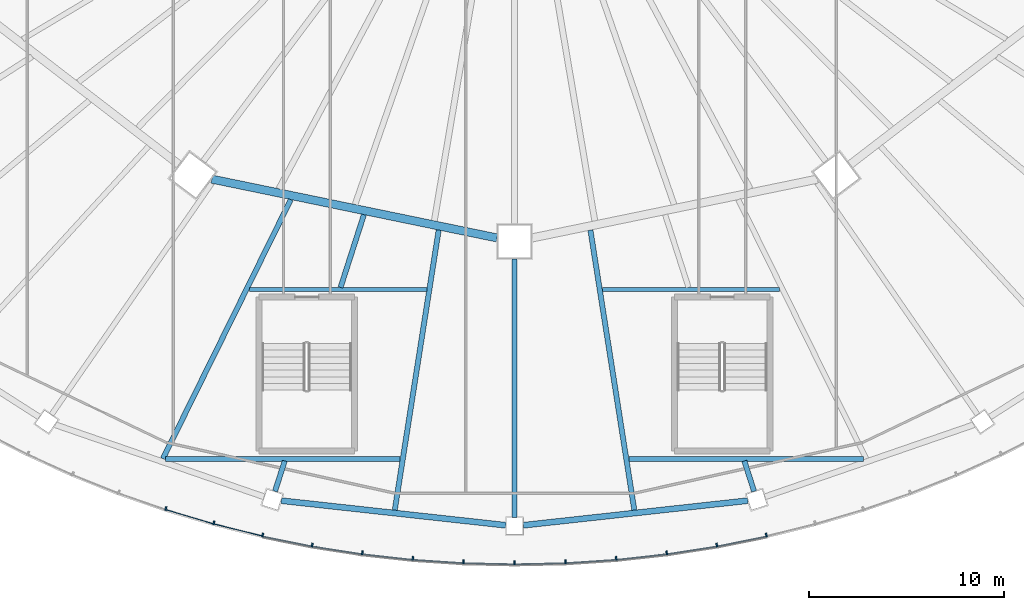
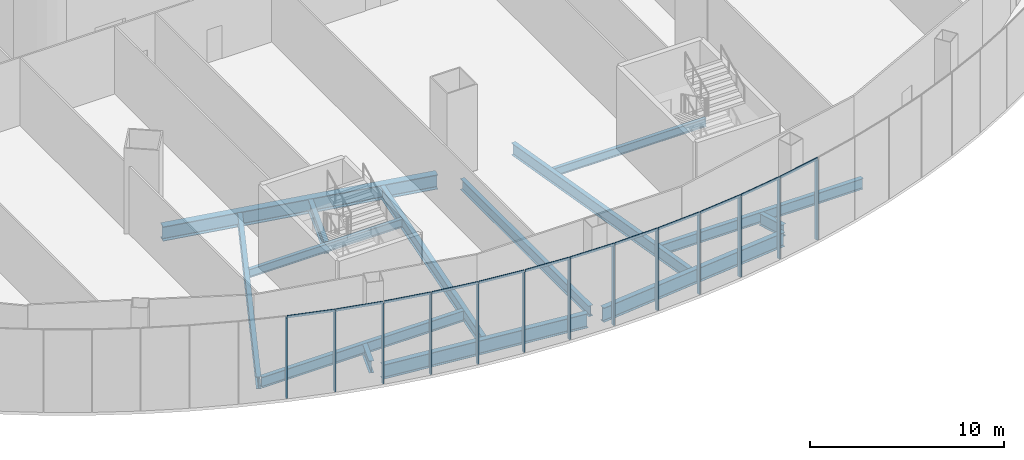
# One storey, part 4 of 42: 25 members, 14 beams, 4 elements without a shape of their own.
"""IFC4 building model written with IfcOpenShell, lengths in metres."""

from ifc_helpers import new_model, si_unit, direction, frame, origin, origin_2d, place, context, subcontext, project, spatial, rectangle, i_section, extrude, material, layer, layer_set, material_profile, profile_set, type_object, element, aggregate, save


model = new_model("IFC4")

# Units and contexts
model_context = context("Model", 3, precision=1e-05, world=origin(), true_north=direction((0.0, 1.0)))
body_context = subcontext(model_context, "Body", "Model", "MODEL_VIEW")
ifc_project = project(units=[si_unit("LENGTHUNIT", "METRE"), si_unit("AREAUNIT", "SQUARE_METRE"), si_unit("VOLUMEUNIT", "CUBIC_METRE"), si_unit("PLANEANGLEUNIT", "RADIAN"), si_unit("MASSUNIT", "GRAM", prefix="KILO")], contexts=[model_context])

# Site, building, storey
site_placement = place(None, origin())
site = spatial("IfcSite", under=ifc_project, at=site_placement, CompositionType="ELEMENT")
building_placement = place(site_placement, origin())
building = spatial("IfcBuilding", under=site, at=building_placement, Name="Sahrelin Media Tower", CompositionType="ELEMENT")
storey_placement = place(building_placement, frame((0.0, 0.0, 26.0)))
storey = spatial("IfcBuildingStorey", under=building, at=storey_placement, Name="L03", CompositionType="ELEMENT", Elevation=26.0)

# Beams
ifc_material_1 = material(Name="Steel S355", Category="steel")
ifc_material_profile_1 = material_profile(ifc_material_1, i_section(OverallWidth=0.208740234375, OverallDepth=0.5283203125, WebThickness=0.009521484375, FlangeThickness=0.01318359375, FilletRadius=0.0126953125, at=origin_2d()), Name="UB 533x210x82")
ifc_profile_set_1 = profile_set([ifc_material_profile_1], Name="Steel S355")
beam_type_1 = type_object("IfcBeamType", Name="Header beam HB6", PredefinedType="BEAM", material=ifc_profile_set_1)
for number, where, z_axis, x_axis, name in (
    (1, (-13.59814453125, -27.85009765625, -0.464111328125), (1.0, 0.0, 0.0), (0.0, 1.0, 0.0), "Header beam L03-05"),
    (2, (4.50146484375, -27.85009765625, -0.464111328125), (1.0, 0.0, 0.0), (0.0, 1.0, 0.0), "Header beam L03-07"),
):
    element("IfcBeam", number, at=place(storey_placement, frame(where, z_axis=z_axis, x_axis=x_axis)), inside=storey, type_object=beam_type_1, Name=name, PredefinedType="BEAM", context=body_context, shape_type="SweptSolid", body=[
        extrude(i_section(OverallWidth=0.208740234375, OverallDepth=0.5283203125, WebThickness=0.009521484375, FlangeThickness=0.01318359375, FilletRadius=0.0126953125, at=origin_2d()), origin(), (0.0, 0.0, 1.0), 9.0966796875),
    ])
ifc_material_profile_2 = material_profile(ifc_material_1, i_section(OverallWidth=0.2529296875, OverallDepth=0.677978515625, WebThickness=0.01171875, FlangeThickness=0.01611328125, FilletRadius=0.01513671875, at=origin_2d()), Name="UB 686x254x125")
ifc_profile_set_2 = profile_set([ifc_material_profile_2], Name="Steel S355")
beam_type_2 = type_object("IfcBeamType", Name="Header beam HB8", PredefinedType="BEAM", material=ifc_profile_set_2)
for number, where, z_axis, x_axis, name in (
    (3, (-5.86572265625, -36.550048828125, -0.538818359375), (-1.0, 0.0, 0.0), (0.0, -1.0, 0.0), "Header beam L03-06"),
    (4, (17.892333984375, -36.550048828125, -0.538818359375), (-1.0, 0.0, 0.0), (0.0, -1.0, 0.0), "Header beam L03-08"),
):
    element("IfcBeam", number, at=place(storey_placement, frame(where, z_axis=z_axis, x_axis=x_axis)), inside=storey, type_object=beam_type_2, Name=name, PredefinedType="BEAM", context=body_context, shape_type="SweptSolid", body=[
        extrude(i_section(OverallWidth=0.2529296875, OverallDepth=0.677978515625, WebThickness=0.01171875, FlangeThickness=0.01611328125, FilletRadius=0.01513671875, at=origin_2d()), origin(), (0.0, 0.0, 1.0), 12.026611328125),
    ])

# Curtain wall, members
ifc_material_2 = material(Name="Champagne anodised aluminium 6063-T6", Category="aluminium")
ifc_layer = layer(ifc_material_2, 0.14990234375)
ifc_layer_set = layer_set([ifc_layer], Name="Podium ribbon curtain wall")
curtain_wall_type = type_object("IfcCurtainWallType", Name="Podium ribbon curtain wall", PredefinedType="NOTDEFINED", material=ifc_layer_set)
curtain_wall_1_placement = place(storey_placement, frame((-25.0, -36.373046875, 0.0), z_axis=(0.0, 0.0, 1.0), x_axis=(1.0, 0.0, 0.0)))
curtain_wall_1 = element("IfcCurtainWall", 5, at=curtain_wall_1_placement, inside=storey, type_object=curtain_wall_type, Name="L03:CW:L03-P16", PredefinedType="NOTDEFINED")
ifc_material_profile_3 = material_profile(ifc_material_2, rectangle(XDim=0.080078125, YDim=0.199951171875, at=origin_2d()), Name="Mullion 80x200")
ifc_profile_set_3 = profile_set([ifc_material_profile_3], Name="Champagne anodised aluminium 6063-T6")
member_type_1 = type_object("IfcMemberType", Name="Mullion 80x200 CW5", PredefinedType="MULLION", material=ifc_profile_set_3)
member_1_placement = place(storey_placement, frame((-17.88427734375, -39.095458984375, 0.0), z_axis=(0.0, 0.0, 1.0), x_axis=(0.958494922328, -0.285109599754, 0.0)))
member_1 = element("IfcMember", 6, at=member_1_placement, type_object=member_type_1, Name="L03:CWM4:L03-P16", PredefinedType="MULLION", context=body_context, shape_type="SweptSolid", body=[
    extrude(rectangle(XDim=0.080078125, YDim=0.199951171875, at=origin_2d()), origin(), (0.0, 0.0, 1.0), 5.050048828125),
])
member_2_placement = place(storey_placement, frame((-15.421875, -39.827880859375, 0.0), z_axis=(0.0, 0.0, 1.0), x_axis=(0.970410464409, -0.241461240296, 0.0)))
member_2 = element("IfcMember", 7, at=member_2_placement, type_object=member_type_1, Name="L03:CWM5:L03-P16", PredefinedType="MULLION", context=body_context, shape_type="SweptSolid", body=[
    extrude(rectangle(XDim=0.080078125, YDim=0.199951171875, at=origin_2d()), origin(), (0.0, 0.0, 1.0), 5.050048828125),
])

curtain_wall_2_placement = place(storey_placement, frame((-12.94091796875, -40.56884765625, 0.0), z_axis=(0.0, 0.0, 1.0), x_axis=(1.0, 0.0, 0.0)))
curtain_wall_2 = element("IfcCurtainWall", 8, at=curtain_wall_2_placement, inside=storey, type_object=curtain_wall_type, Name="L03:CW:L03-P17", PredefinedType="NOTDEFINED")
member_3_placement = place(storey_placement, frame((-12.917236328125, -40.451416015625, 0.0), z_axis=(0.0, 0.0, 1.0), x_axis=(0.980267034681, -0.197677871087, 0.0)))
member_3 = element("IfcMember", 9, at=member_3_placement, type_object=member_type_1, Name="L03:CWM1:L03-P17", PredefinedType="MULLION", context=body_context, shape_type="SweptSolid", body=[
    extrude(rectangle(XDim=0.080078125, YDim=0.199951171875, at=origin_2d()), origin(), (0.0, 0.0, 1.0), 5.050048828125),
])
member_4_placement = place(storey_placement, frame((-10.377197265625, -40.963623046875, 0.0), z_axis=(0.0, 0.0, 1.0), x_axis=(0.988097990296, -0.15382575068, 0.0)))
member_4 = element("IfcMember", 10, at=member_4_placement, type_object=member_type_1, Name="L03:CWM2:L03-P17", PredefinedType="MULLION", context=body_context, shape_type="SweptSolid", body=[
    extrude(rectangle(XDim=0.080078125, YDim=0.199951171875, at=origin_2d()), origin(), (0.0, 0.0, 1.0), 5.050048828125),
])
member_5_placement = place(storey_placement, frame((-7.80859375, -41.363525390625, 0.0), z_axis=(0.0, 0.0, 1.0), x_axis=(0.993941020741, -0.109914727352, 0.0)))
member_5 = element("IfcMember", 11, at=member_5_placement, type_object=member_type_1, Name="L03:CWM3:L03-P17", PredefinedType="MULLION", context=body_context, shape_type="SweptSolid", body=[
    extrude(rectangle(XDim=0.080078125, YDim=0.199951171875, at=origin_2d()), origin(), (0.0, 0.0, 1.0), 5.050048828125),
])
member_6_placement = place(storey_placement, frame((-5.218505859375, -41.650146484375, 0.0), z_axis=(0.0, 0.0, 1.0), x_axis=(0.997822354733, -0.06595868703, 0.0)))
member_6 = element("IfcMember", 12, at=member_6_placement, type_object=member_type_1, Name="L03:CWM4:L03-P17", PredefinedType="MULLION", context=body_context, shape_type="SweptSolid", body=[
    extrude(rectangle(XDim=0.080078125, YDim=0.199951171875, at=origin_2d()), origin(), (0.0, 0.0, 1.0), 5.050048828125),
])
member_7_placement = place(storey_placement, frame((-2.6142578125, -41.822509765625, 0.0), z_axis=(0.0, 0.0, 1.0), x_axis=(0.999757820498, -0.022006825162, 0.0)))
member_7 = element("IfcMember", 13, at=member_7_placement, type_object=member_type_1, Name="L03:CWM5:L03-P17", PredefinedType="MULLION", context=body_context, shape_type="SweptSolid", body=[
    extrude(rectangle(XDim=0.080078125, YDim=0.199951171875, at=origin_2d()), origin(), (0.0, 0.0, 1.0), 5.050048828125),
])

curtain_wall_3_placement = place(storey_placement, frame((0.0, -42.0, 0.0), z_axis=(0.0, 0.0, 1.0), x_axis=(1.0, 0.0, 0.0)))
curtain_wall_3 = element("IfcCurtainWall", 14, at=curtain_wall_3_placement, inside=storey, type_object=curtain_wall_type, Name="L03:CW:L03-P18", PredefinedType="NOTDEFINED")
member_8_placement = place(storey_placement, frame((-0.002685546875, -41.8798828125, 0.0), z_axis=(0.0, 0.0, 1.0), x_axis=(0.999757820498, 0.022006825162, 0.0)))
member_8 = element("IfcMember", 15, at=member_8_placement, type_object=member_type_1, Name="L03:CWM1:L03-P18", PredefinedType="MULLION", context=body_context, shape_type="SweptSolid", body=[
    extrude(rectangle(XDim=0.080078125, YDim=0.199951171875, at=origin_2d()), origin(), (0.0, 0.0, 1.0), 5.050048828125),
])
member_9_placement = place(storey_placement, frame((2.60888671875, -41.82275390625, 0.0), z_axis=(0.0, 0.0, 1.0), x_axis=(0.997822354733, 0.06595868703, 0.0)))
member_9 = element("IfcMember", 16, at=member_9_placement, type_object=member_type_1, Name="L03:CWM2:L03-P18", PredefinedType="MULLION", context=body_context, shape_type="SweptSolid", body=[
    extrude(rectangle(XDim=0.080078125, YDim=0.199951171875, at=origin_2d()), origin(), (0.0, 0.0, 1.0), 5.050048828125),
])
member_10_placement = place(storey_placement, frame((5.213134765625, -41.650634765625, 0.0), z_axis=(0.0, 0.0, 1.0), x_axis=(0.993941020741, 0.109914727352, 0.0)))
member_10 = element("IfcMember", 17, at=member_10_placement, type_object=member_type_1, Name="L03:CWM3:L03-P18", PredefinedType="MULLION", context=body_context, shape_type="SweptSolid", body=[
    extrude(rectangle(XDim=0.080078125, YDim=0.199951171875, at=origin_2d()), origin(), (0.0, 0.0, 1.0), 5.050048828125),
])
member_11_placement = place(storey_placement, frame((7.80322265625, -41.3642578125, 0.0), z_axis=(0.0, 0.0, 1.0), x_axis=(0.988097990296, 0.15382575068, 0.0)))
member_11 = element("IfcMember", 18, at=member_11_placement, type_object=member_type_1, Name="L03:CWM4:L03-P18", PredefinedType="MULLION", context=body_context, shape_type="SweptSolid", body=[
    extrude(rectangle(XDim=0.080078125, YDim=0.199951171875, at=origin_2d()), origin(), (0.0, 0.0, 1.0), 5.050048828125),
])
member_12_placement = place(storey_placement, frame((10.371826171875, -40.964599609375, 0.0), z_axis=(0.0, 0.0, 1.0), x_axis=(0.980267034681, 0.197677871087, 0.0)))
member_12 = element("IfcMember", 19, at=member_12_placement, type_object=member_type_1, Name="L03:CWM5:L03-P18", PredefinedType="MULLION", context=body_context, shape_type="SweptSolid", body=[
    extrude(rectangle(XDim=0.080078125, YDim=0.199951171875, at=origin_2d()), origin(), (0.0, 0.0, 1.0), 5.050048828125),
])

# Curtain wall, member
curtain_wall_4_placement = place(storey_placement, frame((12.94091796875, -40.56884765625, 0.0), z_axis=(0.0, 0.0, 1.0), x_axis=(1.0, 0.0, 0.0)))
curtain_wall_4 = element("IfcCurtainWall", 20, at=curtain_wall_4_placement, inside=storey, type_object=curtain_wall_type, Name="L03:CW:L03-P19", PredefinedType="NOTDEFINED")
member_13_placement = place(storey_placement, frame((12.912109375, -40.452392578125, 0.0), z_axis=(0.0, 0.0, 1.0), x_axis=(0.970410464409, 0.241461240296, 0.0)))
member_13 = element("IfcMember", 21, at=member_13_placement, type_object=member_type_1, Name="L03:CWM1:L03-P19", PredefinedType="MULLION", context=body_context, shape_type="SweptSolid", body=[
    extrude(rectangle(XDim=0.080078125, YDim=0.199951171875, at=origin_2d()), origin(), (0.0, 0.0, 1.0), 5.050048828125),
])
aggregate(curtain_wall_4, [member_13])

# Beams
ifc_material_profile_4 = material_profile(ifc_material_1, i_section(OverallWidth=0.30322265625, OverallDepth=0.903076171875, WebThickness=0.01513671875, FlangeThickness=0.020263671875, FilletRadius=0.01904296875, at=origin_2d()), Name="UB 914x305x201")
ifc_profile_set_4 = profile_set([ifc_material_profile_4], Name="Steel S355")
beam_type_3 = type_object("IfcBeamType", Name="Podium edge girder PE11", PredefinedType="BEAM", material=ifc_profile_set_4)
for number, where, z_axis, x_axis, name in (
    (22, (-11.966796875, -38.68701171875, -0.651611328125), (0.994034160473, -0.109069188193, 0.0), (0.109069188193, 0.994034160473, 0.0), "Podium edge girder L03-18"),
    (23, (0.449951171875, -39.95068359375, -0.651611328125), (0.994034160473, 0.109069188193, 0.0), (-0.109069188193, 0.994034160473, 0.0), "Podium edge girder L03-19"),
):
    element("IfcBeam", number, at=place(storey_placement, frame(where, z_axis=z_axis, x_axis=x_axis)), inside=storey, type_object=beam_type_3, Name=name, PredefinedType="BEAM", context=body_context, shape_type="SweptSolid", body=[
        extrude(i_section(OverallWidth=0.30322265625, OverallDepth=0.903076171875, WebThickness=0.01513671875, FlangeThickness=0.020263671875, FilletRadius=0.01904296875, at=origin_2d()), origin(), (0.0, 0.0, 1.0), 11.5859375),
    ])
ifc_material_profile_5 = material_profile(ifc_material_1, i_section(OverallWidth=0.41845703125, OverallDepth=0.911865234375, WebThickness=0.019287109375, FlangeThickness=0.031982421875, FilletRadius=0.024169921875, at=origin_2d()), Name="UB 914x419x343")
ifc_profile_set_5 = profile_set([ifc_material_profile_5], Name="Steel S355")
beam_type_4 = type_object("IfcBeamType", Name="Podium ring girder PG12", PredefinedType="BEAM", material=ifc_profile_set_5)
beam_1_placement = place(storey_placement, frame((-15.525634765625, -22.197998046875, -0.656005859375), z_axis=(0.979388513106, -0.201985495508, 0.0), x_axis=(0.201985495508, 0.979388513106, 0.0)))
element("IfcBeam", 24, at=beam_1_placement, inside=storey, type_object=beam_type_4, Name="Podium girder L03-09", PredefinedType="BEAM", context=body_context, shape_type="SweptSolid", body=[
    extrude(i_section(OverallWidth=0.41845703125, OverallDepth=0.911865234375, WebThickness=0.019287109375, FlangeThickness=0.031982421875, FilletRadius=0.024169921875, at=origin_2d()), origin(), (0.0, 0.0, 1.0), 14.93359375),
])
ifc_material_profile_6 = material_profile(ifc_material_1, i_section(OverallWidth=0.2529296875, OverallDepth=0.677978515625, WebThickness=0.01171875, FlangeThickness=0.01611328125, FilletRadius=0.01513671875, at=origin_2d()), Name="UB 686x254x125")
ifc_profile_set_6 = profile_set([ifc_material_profile_6], Name="Steel S355")
beam_type_5 = type_object("IfcBeamType", Name="Radial primary beam PB8", PredefinedType="BEAM", material=ifc_profile_set_6)
beam_2_placement = place(storey_placement, frame((0.0, -26.300048828125, -0.538818359375), z_axis=(0.0, -1.0, 0.0), x_axis=(1.0, 0.0, 0.0)))
element("IfcBeam", 25, at=beam_2_placement, inside=storey, type_object=beam_type_5, Name="Radial beam L03-22", PredefinedType="BEAM", context=body_context, shape_type="SweptSolid", body=[
    extrude(i_section(OverallWidth=0.2529296875, OverallDepth=0.677978515625, WebThickness=0.01171875, FlangeThickness=0.01611328125, FilletRadius=0.01513671875, at=origin_2d()), origin(), (0.0, 0.0, 1.0), 13.25),
])
ifc_material_profile_7 = material_profile(ifc_material_1, i_section(OverallWidth=0.26513671875, OverallDepth=0.75390625, WebThickness=0.0126953125, FlangeThickness=0.017578125, FilletRadius=0.0166015625, at=origin_2d()), Name="UB 762x267x147")
ifc_profile_set_7 = profile_set([ifc_material_profile_7], Name="Steel S355")
beam_type_6 = type_object("IfcBeamType", Name="Radial primary beam PB9", PredefinedType="BEAM", material=ifc_profile_set_7)
beam_3_placement = place(storey_placement, frame((-7.7236328125, -24.020751953125, -0.576904296875), z_axis=(-0.30607575523, -0.952007159669, 0.0), x_axis=(0.952007159669, -0.30607575523, 0.0)))
element("IfcBeam", 26, at=beam_3_placement, inside=storey, type_object=beam_type_6, Name="Radial beam L03-20", PredefinedType="BEAM", context=body_context, shape_type="SweptSolid", body=[
    extrude(i_section(OverallWidth=0.26513671875, OverallDepth=0.75390625, WebThickness=0.0126953125, FlangeThickness=0.017578125, FilletRadius=0.0166015625, at=origin_2d()), origin(), (0.0, 0.0, 1.0), 3.917236328125),
])
for number, where, z_axis, x_axis, name in (
    (27, (-11.784423828125, -36.64990234375, -0.576904296875), (-0.306144333921, -0.951985108501, 0.0), (0.951985108501, -0.306144333921, 0.0), "Radial beam L03-21"),
    (28, (11.784423828125, -36.64990234375, -0.576904296875), (0.306144333921, -0.951985108501, 0.0), (0.951985108501, 0.306144333921, 0.0), "Radial beam L03-24"),
):
    element("IfcBeam", number, at=place(storey_placement, frame(where, z_axis=z_axis, x_axis=x_axis)), inside=storey, type_object=beam_type_6, Name=name, PredefinedType="BEAM", context=body_context, shape_type="SweptSolid", body=[
        extrude(i_section(OverallWidth=0.26513671875, OverallDepth=0.75390625, WebThickness=0.0126953125, FlangeThickness=0.017578125, FilletRadius=0.0166015625, at=origin_2d()), origin(), (0.0, 0.0, 1.0), 1.63720703125),
    ])
ifc_material_profile_8 = material_profile(ifc_material_1, i_section(OverallWidth=0.26513671875, OverallDepth=0.75390625, WebThickness=0.0126953125, FlangeThickness=0.017578125, FilletRadius=0.0166015625, at=origin_2d()), Name="UB 762x267x147")
ifc_profile_set_8 = profile_set([ifc_material_profile_8], Name="Steel S355")
beam_type_7 = type_object("IfcBeamType", Name="Radial secondary beam SB9", PredefinedType="BEAM", material=ifc_profile_set_8)
beam_4_placement = place(storey_placement, frame((-11.47412109375, -23.247314453125, -0.576904296875), z_axis=(-0.442602611298, -0.896717864477, 0.0), x_axis=(0.896717864477, -0.442602611298, 0.0)))
element("IfcBeam", 29, at=beam_4_placement, inside=storey, type_object=beam_type_7, Name="Secondary beam L03-17", PredefinedType="BEAM", context=body_context, shape_type="SweptSolid", body=[
    extrude(i_section(OverallWidth=0.26513671875, OverallDepth=0.75390625, WebThickness=0.0126953125, FlangeThickness=0.017578125, FilletRadius=0.0166015625, at=origin_2d()), origin(), (0.0, 0.0, 1.0), 14.8232421875),
])
for number, where, z_axis, x_axis, name in (
    (30, (-3.890869140625, -24.811279296875, -0.576904296875), (-0.154919883605, -0.987927036609, 0.0), (0.987927036609, -0.154919883605, 0.0), "Secondary beam L03-18"),
    (31, (3.890869140625, -24.811279296875, -0.576904296875), (0.154919883605, -0.987927036609, 0.0), (0.987927036609, 0.154919883605, 0.0), "Secondary beam L03-19"),
):
    element("IfcBeam", number, at=place(storey_placement, frame(where, z_axis=z_axis, x_axis=x_axis)), inside=storey, type_object=beam_type_7, Name=name, PredefinedType="BEAM", context=body_context, shape_type="SweptSolid", body=[
        extrude(i_section(OverallWidth=0.26513671875, OverallDepth=0.75390625, WebThickness=0.0126953125, FlangeThickness=0.017578125, FilletRadius=0.0166015625, at=origin_2d()), origin(), (0.0, 0.0, 1.0), 14.537841796875),
    ])

# Member
ifc_material_profile_9 = material_profile(ifc_material_2, rectangle(XDim=0.06005859375, YDim=0.14990234375, at=origin_2d()), Name="Transom 60x150")
ifc_profile_set_9 = profile_set([ifc_material_profile_9], Name="Champagne anodised aluminium 6063-T6")
member_type_2 = type_object("IfcMemberType", Name="Transom 60x150 CW5", PredefinedType="USERDEFINED", material=ifc_profile_set_9)
member_14_placement = place(storey_placement, frame((-17.856201171875, -39.1767578125, 5.125), z_axis=(0.958497078849, -0.285102349758, 0.0), x_axis=(0.285102349758, 0.958497078849, 0.0)))
member_14 = element("IfcMember", 32, at=member_14_placement, type_object=member_type_2, Name="L03:CWT4a:L03-P16", ObjectType="TRANSOM", PredefinedType="USERDEFINED", context=body_context, shape_type="SweptSolid", body=[
    extrude(rectangle(XDim=0.06005859375, YDim=0.14990234375, at=origin_2d()), origin(), (0.0, 0.0, 1.0), 2.5244140625),
])

member_15_placement = place(storey_placement, frame((-15.39013671875, -39.907958984375, 5.125), z_axis=(0.970396770558, -0.241516267963, 0.0), x_axis=(0.241516267963, 0.970396770558, 0.0)))
member_15 = element("IfcMember", 33, at=member_15_placement, type_object=member_type_2, Name="L03:CWT5a:L03-P16", ObjectType="TRANSOM", PredefinedType="USERDEFINED", context=body_context, shape_type="SweptSolid", body=[
    extrude(rectangle(XDim=0.06005859375, YDim=0.14990234375, at=origin_2d()), origin(), (0.0, 0.0, 1.0), 2.536376953125),
])

aggregate(curtain_wall_1, [member_1, member_14, member_2, member_15])

member_16_placement = place(storey_placement, frame((-12.882080078125, -40.52978515625, 5.125), z_axis=(0.980266003838, -0.197682982877, 0.0), x_axis=(0.197682982877, 0.980266003838, 0.0)))
member_16 = element("IfcMember", 34, at=member_16_placement, type_object=member_type_2, Name="L03:CWT1a:L03-P17", ObjectType="TRANSOM", PredefinedType="USERDEFINED", context=body_context, shape_type="SweptSolid", body=[
    extrude(rectangle(XDim=0.06005859375, YDim=0.14990234375, at=origin_2d()), origin(), (0.0, 0.0, 1.0), 2.546630859375),
])

member_17_placement = place(storey_placement, frame((-10.33837890625, -41.04052734375, 5.125), z_axis=(0.98809388136, -0.153852142069, 0.0), x_axis=(0.153852142069, 0.98809388136, 0.0)))
member_17 = element("IfcMember", 35, at=member_17_placement, type_object=member_type_2, Name="L03:CWT2a:L03-P17", ObjectType="TRANSOM", PredefinedType="USERDEFINED", context=body_context, shape_type="SweptSolid", body=[
    extrude(rectangle(XDim=0.06005859375, YDim=0.14990234375, at=origin_2d()), origin(), (0.0, 0.0, 1.0), 2.554931640625),
])

member_18_placement = place(storey_placement, frame((-7.7666015625, -41.438720703125, 5.125), z_axis=(0.9939417213, -0.109908392122, 0.0), x_axis=(0.109908392122, 0.9939417213, 0.0)))
member_18 = element("IfcMember", 36, at=member_18_placement, type_object=member_type_2, Name="L03:CWT3a:L03-P17", ObjectType="TRANSOM", PredefinedType="USERDEFINED", context=body_context, shape_type="SweptSolid", body=[
    extrude(rectangle(XDim=0.06005859375, YDim=0.14990234375, at=origin_2d()), origin(), (0.0, 0.0, 1.0), 2.561279296875),
])

member_19_placement = place(storey_placement, frame((-5.173095703125, -41.723388671875, 5.125), z_axis=(0.997822480178, -0.065956789275, 0.0), x_axis=(0.065956789275, 0.997822480178, 0.0)))
member_19 = element("IfcMember", 37, at=member_19_placement, type_object=member_type_2, Name="L03:CWT4a:L03-P17", ObjectType="TRANSOM", PredefinedType="USERDEFINED", context=body_context, shape_type="SweptSolid", body=[
    extrude(rectangle(XDim=0.06005859375, YDim=0.14990234375, at=origin_2d()), origin(), (0.0, 0.0, 1.0), 2.565185546875),
])

member_20_placement = place(storey_placement, frame((-2.565673828125, -41.8935546875, 5.125), z_axis=(0.999758731389, -0.021965404884, 0.0), x_axis=(0.021965404884, 0.999758731389, 0.0)))
member_20 = element("IfcMember", 38, at=member_20_placement, type_object=member_type_2, Name="L03:CWT5a:L03-P17", ObjectType="TRANSOM", PredefinedType="USERDEFINED", context=body_context, shape_type="SweptSolid", body=[
    extrude(rectangle(XDim=0.06005859375, YDim=0.14990234375, at=origin_2d()), origin(), (0.0, 0.0, 1.0), 2.567626953125),
])

aggregate(curtain_wall_2, [member_3, member_16, member_4, member_17, member_5, member_18, member_6, member_19, member_7, member_20])

member_21_placement = place(storey_placement, frame((0.048828125, -41.948974609375, 5.125), z_axis=(0.999756638726, 0.022060447041, 0.0), x_axis=(-0.022060447041, 0.999756638726, 0.0)))
member_21 = element("IfcMember", 39, at=member_21_placement, type_object=member_type_2, Name="L03:CWT1a:L03-P18", ObjectType="TRANSOM", PredefinedType="USERDEFINED", context=body_context, shape_type="SweptSolid", body=[
    extrude(rectangle(XDim=0.06005859375, YDim=0.14990234375, at=origin_2d()), origin(), (0.0, 0.0, 1.0), 2.567626953125),
])

member_22_placement = place(storey_placement, frame((2.663330078125, -41.88916015625, 5.125), z_axis=(0.997822894162, 0.065950526052, 0.0), x_axis=(-0.065950526052, 0.997822894162, 0.0)))
member_22 = element("IfcMember", 40, at=member_22_placement, type_object=member_type_2, Name="L03:CWT2a:L03-P18", ObjectType="TRANSOM", PredefinedType="USERDEFINED", context=body_context, shape_type="SweptSolid", body=[
    extrude(rectangle(XDim=0.06005859375, YDim=0.14990234375, at=origin_2d()), origin(), (0.0, 0.0, 1.0), 2.5654296875),
])

member_23_placement = place(storey_placement, frame((5.2705078125, -41.714599609375, 5.125), z_axis=(0.9939417213, 0.109908392122, 0.0), x_axis=(-0.109908392122, 0.9939417213, 0.0)))
member_23 = element("IfcMember", 41, at=member_23_placement, type_object=member_type_2, Name="L03:CWT3a:L03-P18", ObjectType="TRANSOM", PredefinedType="USERDEFINED", context=body_context, shape_type="SweptSolid", body=[
    extrude(rectangle(XDim=0.06005859375, YDim=0.14990234375, at=origin_2d()), origin(), (0.0, 0.0, 1.0), 2.561279296875),
])

member_24_placement = place(storey_placement, frame((7.86328125, -41.42578125, 5.125), z_axis=(0.988096142999, 0.153837616307, 0.0), x_axis=(-0.153837616307, 0.988096142999, 0.0)))
member_24 = element("IfcMember", 42, at=member_24_placement, type_object=member_type_2, Name="L03:CWT4a:L03-P18", ObjectType="TRANSOM", PredefinedType="USERDEFINED", context=body_context, shape_type="SweptSolid", body=[
    extrude(rectangle(XDim=0.06005859375, YDim=0.14990234375, at=origin_2d()), origin(), (0.0, 0.0, 1.0), 2.55517578125),
])

member_25_placement = place(storey_placement, frame((10.434814453125, -41.023193359375, 5.125), z_axis=(0.980284577643, 0.197590857166, 0.0), x_axis=(-0.197590857166, 0.980284577643, 0.0)))
member_25 = element("IfcMember", 43, at=member_25_placement, type_object=member_type_2, Name="L03:CWT5a:L03-P18", ObjectType="TRANSOM", PredefinedType="USERDEFINED", context=body_context, shape_type="SweptSolid", body=[
    extrude(rectangle(XDim=0.06005859375, YDim=0.14990234375, at=origin_2d()), origin(), (0.0, 0.0, 1.0), 2.546630859375),
])

aggregate(curtain_wall_3, [member_8, member_21, member_9, member_22, member_10, member_23, member_11, member_24, member_12, member_25])

save(model, "model.ifc")
